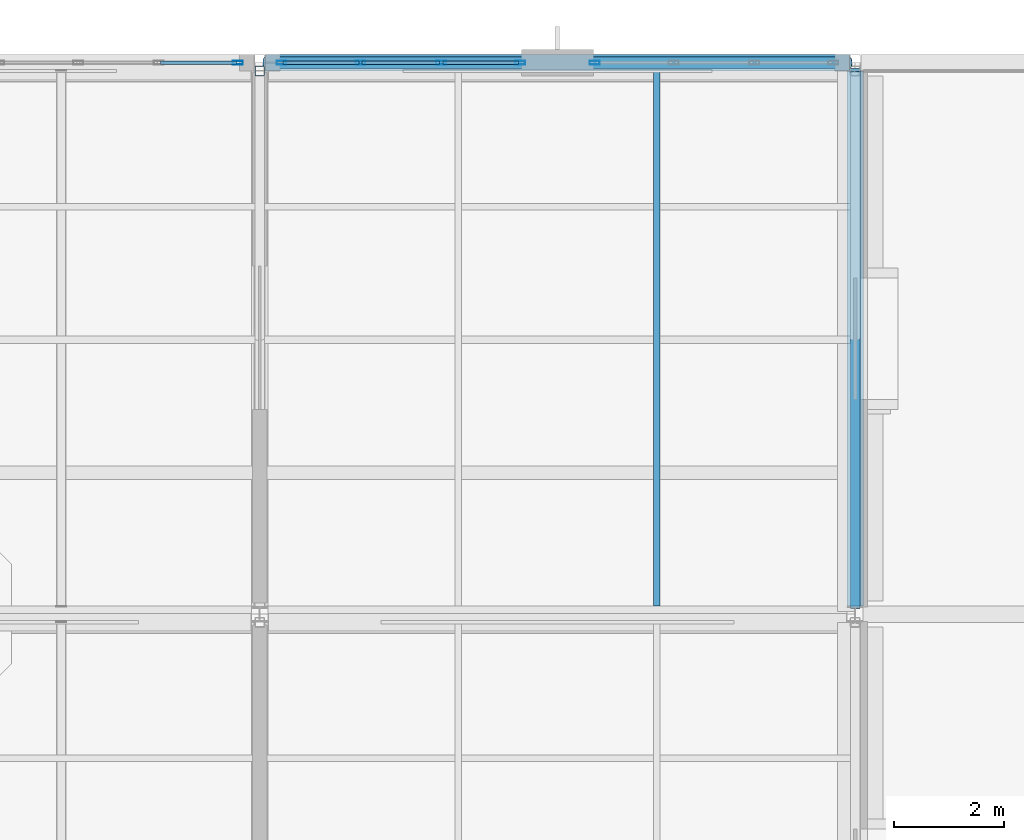
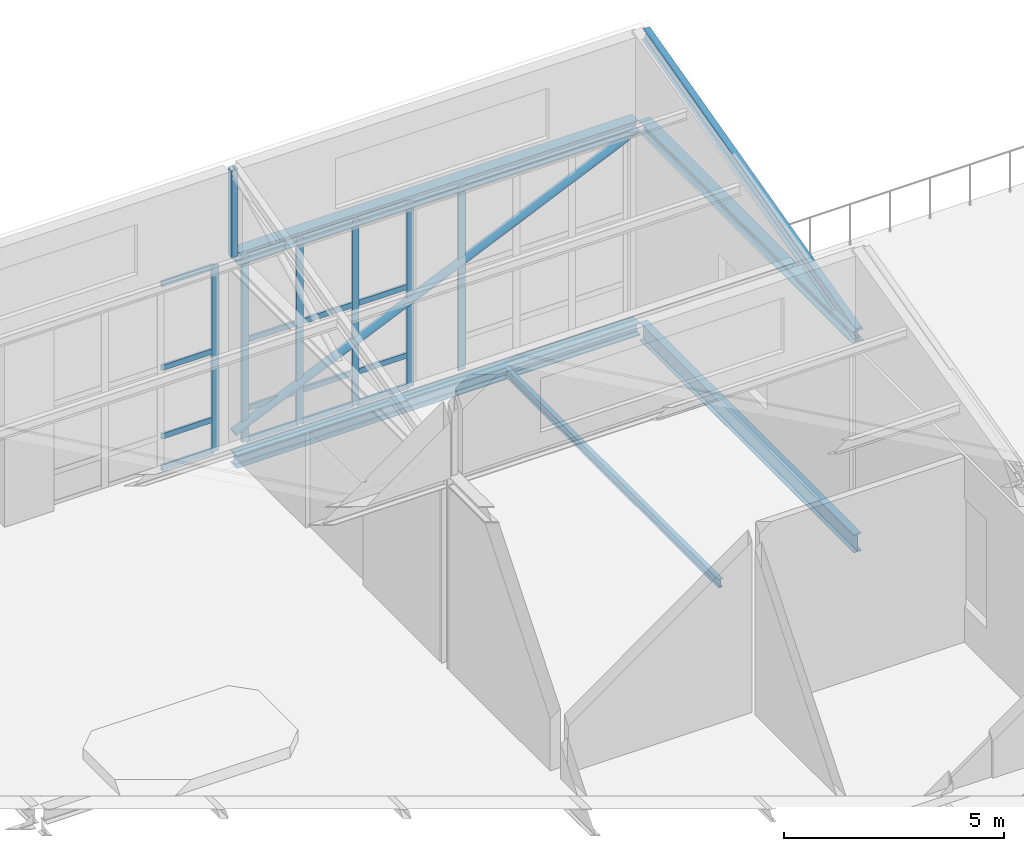
# One storey, part 29 of 49: 26 members, 4 beams, 3 elements without a shape of their own.
"""IFC4 building model written with IfcOpenShell, lengths in metres."""

from ifc_helpers import new_model, si_unit, direction, frame, origin, origin_2d, place, context, subcontext, project, spatial, hollow_rectangle, hollow_circle, i_section, extrude, material, layer, layer_set, material_profile, profile_set, type_object, element, aggregate, save


model = new_model("IFC4")

# Units and contexts
model_context = context("Model", 3, precision=1e-05, world=origin(), true_north=direction((0.0, 1.0)))
body_context = subcontext(model_context, "Body", "Model", "MODEL_VIEW")
ifc_project = project(units=[si_unit("LENGTHUNIT", "METRE"), si_unit("AREAUNIT", "SQUARE_METRE"), si_unit("VOLUMEUNIT", "CUBIC_METRE"), si_unit("PLANEANGLEUNIT", "RADIAN"), si_unit("MASSUNIT", "GRAM", prefix="KILO")], contexts=[model_context])

# Site, building, storey
site_placement = place(None, origin())
site = spatial("IfcSite", under=ifc_project, at=site_placement, CompositionType="ELEMENT")
building_placement = place(site_placement, origin())
building = spatial("IfcBuilding", under=site, at=building_placement, Name="Tasgan Crest Museum", CompositionType="ELEMENT")
storey_placement = place(building_placement, frame((0.0, 0.0, 28.800048828125)))
storey = spatial("IfcBuildingStorey", under=building, at=storey_placement, Name="L05", CompositionType="ELEMENT", Elevation=28.800048828125)

# Beams
ifc_material_1 = material(Name="Steel S355J2", Category="steel")
ifc_material_profile_1 = material_profile(ifc_material_1, i_section(OverallWidth=0.300048828125, OverallDepth=0.35009765625, WebThickness=0.009521484375, FlangeThickness=0.017578125, FilletRadius=0.027099609375, at=origin_2d()), Name="HEA 360")
ifc_profile_set_1 = profile_set([ifc_material_profile_1], Name="Steel S355J2")
beam_type_1 = type_object("IfcBeamType", Name="BM-G-HEA360", PredefinedType="BEAM", material=ifc_profile_set_1)
beam_1_placement = place(storey_placement, frame((64.949951171875, 112.0, 5.219970703125), z_axis=(1.0, 0.0, 0.0), x_axis=(0.0, 1.0, 0.0)))
element("IfcBeam", 1, at=beam_1_placement, inside=storey, type_object=beam_type_1, Name="Sawtooth north eave girder 64.8-75.6", PredefinedType="BEAM", context=body_context, shape_type="SweptSolid", body=[
    extrude(i_section(OverallWidth=0.300048828125, OverallDepth=0.35009765625, WebThickness=0.009521484375, FlangeThickness=0.017578125, FilletRadius=0.027099609375, at=origin_2d()), origin(), (0.0, 0.0, 1.0), 10.5),
])
ifc_material_2 = material(Name="Steel S355J2", Category="steel")
ifc_material_profile_2 = material_profile(ifc_material_2, i_section(OverallWidth=0.300048828125, OverallDepth=0.340087890625, WebThickness=0.011962890625, FlangeThickness=0.021484375, FilletRadius=0.027099609375, at=origin_2d()), Name="HEB 340")
ifc_profile_set_2 = profile_set([ifc_material_profile_2], Name="Steel S355J2")
beam_type_2 = type_object("IfcBeamType", Name="BM-G-HEB340", PredefinedType="BEAM", material=ifc_profile_set_2)
beam_2_placement = place(storey_placement, frame((64.906005859375, 112.0, -0.41015625), z_axis=(1.0, 0.0, 0.0), x_axis=(0.0, 1.0, 0.0)))
element("IfcBeam", 2, at=beam_2_placement, inside=storey, type_object=beam_type_2, Name="Girder L05 M 64.8-75.6", PredefinedType="BEAM", context=body_context, shape_type="SweptSolid", body=[
    extrude(i_section(OverallWidth=0.300048828125, OverallDepth=0.340087890625, WebThickness=0.011962890625, FlangeThickness=0.021484375, FilletRadius=0.027099609375, at=origin_2d()), origin(), (0.0, 0.0, 1.0), 10.587890625),
])
ifc_material_3 = material(Name="Steel S355J2", Category="steel")
ifc_material_profile_3 = material_profile(ifc_material_3, i_section(OverallWidth=0.199951171875, OverallDepth=0.5, WebThickness=0.01025390625, FlangeThickness=0.01611328125, FilletRadius=0.02099609375, at=origin_2d()), Name="IPE 500")
ifc_profile_set_3 = profile_set([ifc_material_profile_3], Name="Steel S355J2")
beam_type_3 = type_object("IfcBeamType", Name="BM-G-IPE500", PredefinedType="BEAM", material=ifc_profile_set_3)
beam_3_placement = place(storey_placement, frame((75.60009765625, 102.14990234375, -0.5), z_axis=(0.0, 1.0, 0.0), x_axis=(-1.0, 0.0, 0.0)))
element("IfcBeam", 3, at=beam_3_placement, inside=storey, type_object=beam_type_3, Name="Beam L05 8 102.0-112.0", PredefinedType="BEAM", context=body_context, shape_type="SweptSolid", body=[
    extrude(i_section(OverallWidth=0.199951171875, OverallDepth=0.5, WebThickness=0.01025390625, FlangeThickness=0.01611328125, FilletRadius=0.02099609375, at=origin_2d()), origin(), (0.0, 0.0, 1.0), 9.7451171875),
])
ifc_material_4 = material(Name="Steel S355J2", Category="steel")
ifc_material_profile_4 = material_profile(ifc_material_4, i_section(OverallWidth=0.1201171875, OverallDepth=0.239990234375, WebThickness=0.006103515625, FlangeThickness=0.009765625, FilletRadius=0.014892578125, at=origin_2d()), Name="IPE 240")
ifc_profile_set_4 = profile_set([ifc_material_profile_4], Name="Steel S355J2")
beam_type_4 = type_object("IfcBeamType", Name="BM-J-IPE240", PredefinedType="JOIST", material=ifc_profile_set_4)
beam_4_placement = place(storey_placement, frame((72.0, 102.14501953125, -0.360107421875), z_axis=(0.0, 1.0, 0.0), x_axis=(-1.0, 0.0, 0.0)))
element("IfcBeam", 4, at=beam_4_placement, inside=storey, type_object=beam_type_4, Name="Secondary joist L05 X=72.0 Y=102.0-112.0", PredefinedType="JOIST", context=body_context, shape_type="SweptSolid", body=[
    extrude(i_section(OverallWidth=0.1201171875, OverallDepth=0.239990234375, WebThickness=0.006103515625, FlangeThickness=0.009765625, FilletRadius=0.014892578125, at=origin_2d()), origin(), (0.0, 0.0, 1.0), 9.7099609375),
])

# Curtain wall, member
ifc_material_5 = material(Name="Triple-Glazed Aluminium Curtain Wall", Category="aluminium")
ifc_layer_1 = layer(ifc_material_5, 0.179931640625, Name="CW-GAL-X-54")
ifc_layer_set_1 = layer_set([ifc_layer_1], Name="Triple-Glazed Aluminium Curtain Wall")
curtain_wall_type_1 = type_object("IfcCurtainWallType", Name="CW-GAL-X-54", PredefinedType="NOTDEFINED", material=ifc_layer_set_1)
curtain_wall_1_placement = place(storey_placement, origin())
curtain_wall_1 = element("IfcCurtainWall", 5, at=curtain_wall_1_placement, inside=storey, type_object=curtain_wall_type_1, Name="Curtain wall L05 201", PredefinedType="NOTDEFINED")
ifc_material_6 = material(Name="Anodised Aluminium", Category="aluminium")
ifc_material_profile_5 = material_profile(ifc_material_6, hollow_rectangle(XDim=0.06494140625, YDim=0.179931640625, WallThickness=0.0048828125, at=origin_2d()), Name="ALU MULLION 180x65x5")
ifc_profile_set_5 = profile_set([ifc_material_profile_5], Name="Anodised Aluminium")
member_type_1 = type_object("IfcMemberType", Name="CW-MULLION-180", PredefinedType="MULLION", material=ifc_profile_set_5)
member_1_placement = place(storey_placement, frame((70.875, 112.0, 0.0), z_axis=(0.0, 0.0, 1.0), x_axis=(0.0, -1.0, 0.0)))
member_1 = element("IfcMember", 6, at=member_1_placement, type_object=member_type_1, Name="CW15 mullion 4", PredefinedType="MULLION", context=body_context, shape_type="SweptSolid", body=[
    extrude(hollow_rectangle(XDim=0.06494140625, YDim=0.179931640625, WallThickness=0.0048828125, at=origin_2d()), origin(), (0.0, 0.0, 1.0), 5.159912109375),
])
aggregate(curtain_wall_1, [member_1])

# Curtain wall, members
curtain_wall_2_placement = place(storey_placement, origin())
curtain_wall_2 = element("IfcCurtainWall", 7, at=curtain_wall_2_placement, inside=storey, type_object=curtain_wall_type_1, Name="Curtain wall L05 202", PredefinedType="NOTDEFINED")
member_2_placement = place(storey_placement, frame((69.52490234375, 112.0, 0.0), z_axis=(0.0, 0.0, 1.0), x_axis=(0.0, -1.0, 0.0)))
member_2 = element("IfcMember", 8, at=member_2_placement, type_object=member_type_1, Name="CW15 mullion 1", PredefinedType="MULLION", context=body_context, shape_type="SweptSolid", body=[
    extrude(hollow_rectangle(XDim=0.06494140625, YDim=0.179931640625, WallThickness=0.0048828125, at=origin_2d()), origin(), (0.0, 0.0, 1.0), 5.159912109375),
])
member_3_placement = place(storey_placement, frame((68.091552734375, 112.0, 0.0), z_axis=(0.0, 0.0, 1.0), x_axis=(0.0, -1.0, 0.0)))
member_3 = element("IfcMember", 9, at=member_3_placement, type_object=member_type_1, Name="CW15 mullion 2", PredefinedType="MULLION", context=body_context, shape_type="SweptSolid", body=[
    extrude(hollow_rectangle(XDim=0.06494140625, YDim=0.179931640625, WallThickness=0.0048828125, at=origin_2d()), origin(), (0.0, 0.0, 1.0), 5.159912109375),
])
member_4_placement = place(storey_placement, frame((66.62841796875, 112.0, 0.0), z_axis=(0.0, 0.0, 1.0), x_axis=(0.0, -1.0, 0.0)))
member_4 = element("IfcMember", 10, at=member_4_placement, type_object=member_type_1, Name="CW15 mullion 3", PredefinedType="MULLION", context=body_context, shape_type="SweptSolid", body=[
    extrude(hollow_rectangle(XDim=0.06494140625, YDim=0.179931640625, WallThickness=0.0048828125, at=origin_2d()), origin(), (0.0, 0.0, 1.0), 5.159912109375),
])
member_5_placement = place(storey_placement, frame((65.195068359375, 112.0, 0.0), z_axis=(0.0, 0.0, 1.0), x_axis=(0.0, -1.0, 0.0)))
member_5 = element("IfcMember", 11, at=member_5_placement, type_object=member_type_1, Name="CW15 mullion 4", PredefinedType="MULLION", context=body_context, shape_type="SweptSolid", body=[
    extrude(hollow_rectangle(XDim=0.06494140625, YDim=0.179931640625, WallThickness=0.0048828125, at=origin_2d()), origin(), (0.0, 0.0, 1.0), 5.159912109375),
])

# Curtain wall, member
ifc_material_7 = material(Name="Triple-Glazed Aluminium Curtain Wall", Category="aluminium")
ifc_layer_2 = layer(ifc_material_7, 0.179931640625, Name="CW-CORE-STRIP-54")
ifc_layer_set_2 = layer_set([ifc_layer_2], Name="Triple-Glazed Aluminium Curtain Wall")
curtain_wall_type_2 = type_object("IfcCurtainWallType", Name="CW-CORE-STRIP-54", PredefinedType="NOTDEFINED", material=ifc_layer_set_2)
curtain_wall_3_placement = place(storey_placement, origin())
curtain_wall_3 = element("IfcCurtainWall", 12, at=curtain_wall_3_placement, inside=storey, type_object=curtain_wall_type_2, Name="Curtain wall L05 203", PredefinedType="NOTDEFINED")
member_6_placement = place(storey_placement, frame((64.405029296875, 112.0, 0.0), z_axis=(0.0, 0.0, 1.0), x_axis=(0.0, -1.0, 0.0)))
member_6 = element("IfcMember", 13, at=member_6_placement, type_object=member_type_1, Name="CW21 mullion 1", PredefinedType="MULLION", context=body_context, shape_type="SweptSolid", body=[
    extrude(hollow_rectangle(XDim=0.06494140625, YDim=0.179931640625, WallThickness=0.0048828125, at=origin_2d()), origin(), (0.0, 0.0, 1.0), 5.159912109375),
])

# Member
ifc_material_8 = material(Name="Anodised Aluminium", Category="aluminium")
ifc_material_profile_6 = material_profile(ifc_material_8, hollow_rectangle(XDim=0.06005859375, YDim=0.14990234375, WallThickness=0.0048828125, at=origin_2d()), Name="ALU TRANSOM 150x60x5")
ifc_profile_set_6 = profile_set([ifc_material_profile_6], Name="Anodised Aluminium")
member_type_2 = type_object("IfcMemberType", Name="CW-TRANSOM-150", PredefinedType="USERDEFINED", material=ifc_profile_set_6)
member_7_placement = place(storey_placement, frame((69.4951171875, 112.0, 0.030029296875), z_axis=(-1.0, 0.0, 0.0), x_axis=(0.0, -1.0, 0.0)))
member_7 = element("IfcMember", 14, at=member_7_placement, type_object=member_type_2, Name="CW15 transom 1.1", ObjectType="TRANSOM", PredefinedType="USERDEFINED", context=body_context, shape_type="SweptSolid", body=[
    extrude(hollow_rectangle(XDim=0.06005859375, YDim=0.14990234375, WallThickness=0.0048828125, at=origin_2d()), origin(), (0.0, 0.0, 1.0), 1.37353515625),
])

member_8_placement = place(storey_placement, frame((69.4951171875, 112.0, 0.89990234375), z_axis=(-1.0, 0.0, 0.0), x_axis=(0.0, -1.0, 0.0)))
member_8 = element("IfcMember", 15, at=member_8_placement, type_object=member_type_2, Name="CW15 transom 1.2", ObjectType="TRANSOM", PredefinedType="USERDEFINED", context=body_context, shape_type="SweptSolid", body=[
    extrude(hollow_rectangle(XDim=0.06005859375, YDim=0.14990234375, WallThickness=0.0048828125, at=origin_2d()), origin(), (0.0, 0.0, 1.0), 1.37353515625),
])

member_9_placement = place(storey_placement, frame((69.4951171875, 112.0, 2.800048828125), z_axis=(-1.0, 0.0, 0.0), x_axis=(0.0, -1.0, 0.0)))
member_9 = element("IfcMember", 16, at=member_9_placement, type_object=member_type_2, Name="CW15 transom 1.3", ObjectType="TRANSOM", PredefinedType="USERDEFINED", context=body_context, shape_type="SweptSolid", body=[
    extrude(hollow_rectangle(XDim=0.06005859375, YDim=0.14990234375, WallThickness=0.0048828125, at=origin_2d()), origin(), (0.0, 0.0, 1.0), 1.37353515625),
])

member_10_placement = place(storey_placement, frame((69.4951171875, 112.0, 5.1298828125), z_axis=(-1.0, 0.0, 0.0), x_axis=(0.0, -1.0, 0.0)))
member_10 = element("IfcMember", 17, at=member_10_placement, type_object=member_type_2, Name="CW15 transom 1.4", ObjectType="TRANSOM", PredefinedType="USERDEFINED", context=body_context, shape_type="SweptSolid", body=[
    extrude(hollow_rectangle(XDim=0.06005859375, YDim=0.14990234375, WallThickness=0.0048828125, at=origin_2d()), origin(), (0.0, 0.0, 1.0), 1.37353515625),
])

member_11_placement = place(storey_placement, frame((68.061767578125, 112.0, 0.030029296875), z_axis=(-1.0, 0.0, 0.0), x_axis=(0.0, -1.0, 0.0)))
member_11 = element("IfcMember", 18, at=member_11_placement, type_object=member_type_2, Name="CW15 transom 2.1", ObjectType="TRANSOM", PredefinedType="USERDEFINED", context=body_context, shape_type="SweptSolid", body=[
    extrude(hollow_rectangle(XDim=0.06005859375, YDim=0.14990234375, WallThickness=0.0048828125, at=origin_2d()), origin(), (0.0, 0.0, 1.0), 1.4033203125),
])

member_12_placement = place(storey_placement, frame((68.061767578125, 112.0, 0.89990234375), z_axis=(-1.0, 0.0, 0.0), x_axis=(0.0, -1.0, 0.0)))
member_12 = element("IfcMember", 19, at=member_12_placement, type_object=member_type_2, Name="CW15 transom 2.2", ObjectType="TRANSOM", PredefinedType="USERDEFINED", context=body_context, shape_type="SweptSolid", body=[
    extrude(hollow_rectangle(XDim=0.06005859375, YDim=0.14990234375, WallThickness=0.0048828125, at=origin_2d()), origin(), (0.0, 0.0, 1.0), 1.4033203125),
])

member_13_placement = place(storey_placement, frame((68.061767578125, 112.0, 2.800048828125), z_axis=(-1.0, 0.0, 0.0), x_axis=(0.0, -1.0, 0.0)))
member_13 = element("IfcMember", 20, at=member_13_placement, type_object=member_type_2, Name="CW15 transom 2.3", ObjectType="TRANSOM", PredefinedType="USERDEFINED", context=body_context, shape_type="SweptSolid", body=[
    extrude(hollow_rectangle(XDim=0.06005859375, YDim=0.14990234375, WallThickness=0.0048828125, at=origin_2d()), origin(), (0.0, 0.0, 1.0), 1.4033203125),
])

member_14_placement = place(storey_placement, frame((68.061767578125, 112.0, 5.1298828125), z_axis=(-1.0, 0.0, 0.0), x_axis=(0.0, -1.0, 0.0)))
member_14 = element("IfcMember", 21, at=member_14_placement, type_object=member_type_2, Name="CW15 transom 2.4", ObjectType="TRANSOM", PredefinedType="USERDEFINED", context=body_context, shape_type="SweptSolid", body=[
    extrude(hollow_rectangle(XDim=0.06005859375, YDim=0.14990234375, WallThickness=0.0048828125, at=origin_2d()), origin(), (0.0, 0.0, 1.0), 1.4033203125),
])

member_15_placement = place(storey_placement, frame((66.598388671875, 112.0, 0.030029296875), z_axis=(-1.0, 0.0, 0.0), x_axis=(0.0, -1.0, 0.0)))
member_15 = element("IfcMember", 22, at=member_15_placement, type_object=member_type_2, Name="CW15 transom 3.1", ObjectType="TRANSOM", PredefinedType="USERDEFINED", context=body_context, shape_type="SweptSolid", body=[
    extrude(hollow_rectangle(XDim=0.06005859375, YDim=0.14990234375, WallThickness=0.0048828125, at=origin_2d()), origin(), (0.0, 0.0, 1.0), 1.373291015625),
])

member_16_placement = place(storey_placement, frame((66.598388671875, 112.0, 0.89990234375), z_axis=(-1.0, 0.0, 0.0), x_axis=(0.0, -1.0, 0.0)))
member_16 = element("IfcMember", 23, at=member_16_placement, type_object=member_type_2, Name="CW15 transom 3.2", ObjectType="TRANSOM", PredefinedType="USERDEFINED", context=body_context, shape_type="SweptSolid", body=[
    extrude(hollow_rectangle(XDim=0.06005859375, YDim=0.14990234375, WallThickness=0.0048828125, at=origin_2d()), origin(), (0.0, 0.0, 1.0), 1.373291015625),
])

member_17_placement = place(storey_placement, frame((66.598388671875, 112.0, 2.800048828125), z_axis=(-1.0, 0.0, 0.0), x_axis=(0.0, -1.0, 0.0)))
member_17 = element("IfcMember", 24, at=member_17_placement, type_object=member_type_2, Name="CW15 transom 3.3", ObjectType="TRANSOM", PredefinedType="USERDEFINED", context=body_context, shape_type="SweptSolid", body=[
    extrude(hollow_rectangle(XDim=0.06005859375, YDim=0.14990234375, WallThickness=0.0048828125, at=origin_2d()), origin(), (0.0, 0.0, 1.0), 1.373291015625),
])

member_18_placement = place(storey_placement, frame((66.598388671875, 112.0, 5.1298828125), z_axis=(-1.0, 0.0, 0.0), x_axis=(0.0, -1.0, 0.0)))
member_18 = element("IfcMember", 25, at=member_18_placement, type_object=member_type_2, Name="CW15 transom 3.4", ObjectType="TRANSOM", PredefinedType="USERDEFINED", context=body_context, shape_type="SweptSolid", body=[
    extrude(hollow_rectangle(XDim=0.06005859375, YDim=0.14990234375, WallThickness=0.0048828125, at=origin_2d()), origin(), (0.0, 0.0, 1.0), 1.373291015625),
])

aggregate(curtain_wall_2, [member_2, member_3, member_4, member_5, member_7, member_8, member_9, member_10, member_11, member_12, member_13, member_14, member_15, member_16, member_17, member_18])

member_19_placement = place(storey_placement, frame((64.375, 112.0, 0.030029296875), z_axis=(-1.0, 0.0, 0.0), x_axis=(0.0, -1.0, 0.0)))
member_19 = element("IfcMember", 26, at=member_19_placement, type_object=member_type_2, Name="CW21 transom 1.1", ObjectType="TRANSOM", PredefinedType="USERDEFINED", context=body_context, shape_type="SweptSolid", body=[
    extrude(hollow_rectangle(XDim=0.06005859375, YDim=0.14990234375, WallThickness=0.0048828125, at=origin_2d()), origin(), (0.0, 0.0, 1.0), 1.373291015625),
])

member_20_placement = place(storey_placement, frame((64.375, 112.0, 0.89990234375), z_axis=(-1.0, 0.0, 0.0), x_axis=(0.0, -1.0, 0.0)))
member_20 = element("IfcMember", 27, at=member_20_placement, type_object=member_type_2, Name="CW21 transom 1.2", ObjectType="TRANSOM", PredefinedType="USERDEFINED", context=body_context, shape_type="SweptSolid", body=[
    extrude(hollow_rectangle(XDim=0.06005859375, YDim=0.14990234375, WallThickness=0.0048828125, at=origin_2d()), origin(), (0.0, 0.0, 1.0), 1.373291015625),
])

member_21_placement = place(storey_placement, frame((64.375, 112.0, 2.800048828125), z_axis=(-1.0, 0.0, 0.0), x_axis=(0.0, -1.0, 0.0)))
member_21 = element("IfcMember", 28, at=member_21_placement, type_object=member_type_2, Name="CW21 transom 1.3", ObjectType="TRANSOM", PredefinedType="USERDEFINED", context=body_context, shape_type="SweptSolid", body=[
    extrude(hollow_rectangle(XDim=0.06005859375, YDim=0.14990234375, WallThickness=0.0048828125, at=origin_2d()), origin(), (0.0, 0.0, 1.0), 1.373291015625),
])

member_22_placement = place(storey_placement, frame((64.375, 112.0, 5.1298828125), z_axis=(-1.0, 0.0, 0.0), x_axis=(0.0, -1.0, 0.0)))
member_22 = element("IfcMember", 29, at=member_22_placement, type_object=member_type_2, Name="CW21 transom 1.4", ObjectType="TRANSOM", PredefinedType="USERDEFINED", context=body_context, shape_type="SweptSolid", body=[
    extrude(hollow_rectangle(XDim=0.06005859375, YDim=0.14990234375, WallThickness=0.0048828125, at=origin_2d()), origin(), (0.0, 0.0, 1.0), 1.373291015625),
])

aggregate(curtain_wall_3, [member_6, member_19, member_20, member_21, member_22])

# Members
ifc_material_9 = material(Name="Steel S355J2", Category="steel")
ifc_material_profile_7 = material_profile(ifc_material_9, hollow_circle(Radius=0.109619140625, WallThickness=0.010009765625, at=origin_2d()), Name="CHS 219.1x10")
ifc_profile_set_7 = profile_set([ifc_material_profile_7], Name="Steel S355J2")
member_type_3 = type_object("IfcMemberType", Name="MEM-BRACE-CHS219", PredefinedType="BRACE", material=ifc_profile_set_7)
member_23_placement = place(storey_placement, frame((64.89990234375, 112.0, 0.349853515625), z_axis=(0.913841923951, 0.0, 0.406070114671), x_axis=(0.0, 1.0, 0.0)))
element("IfcMember", 30, at=member_23_placement, inside=storey, type_object=member_type_3, Name="Diagonal brace L05 M 64.8-75.6", PredefinedType="BRACE", context=body_context, shape_type="SweptSolid", body=[
    extrude(hollow_circle(Radius=0.109619140625, WallThickness=0.010009765625, at=origin_2d()), origin(), (0.0, 0.0, 1.0), 11.599365234375),
])
ifc_material_10 = material(Name="Steel S355K2", Category="steel")
ifc_material_profile_8 = material_profile(ifc_material_10, i_section(OverallWidth=0.300048828125, OverallDepth=0.31005859375, WebThickness=0.009033203125, FlangeThickness=0.015380859375, FilletRadius=0.027099609375, at=origin_2d()), Name="HEA 320")
ifc_profile_set_8 = profile_set([ifc_material_profile_8], Name="Steel S355K2")
member_type_4 = type_object("IfcMemberType", Name="TR-SAW-CHORD", PredefinedType="CHORD", material=ifc_profile_set_8)
member_24_placement = place(storey_placement, frame((75.60009765625, 102.14990234375, 5.239990234375), z_axis=(0.0, 1.0, 0.0), x_axis=(-1.0, 0.0, 0.0)))
element("IfcMember", 31, at=member_24_placement, inside=storey, type_object=member_type_4, Name="Roof truss bottom chord B3 8", PredefinedType="CHORD", context=body_context, shape_type="SweptSolid", body=[
    extrude(i_section(OverallWidth=0.300048828125, OverallDepth=0.31005859375, WebThickness=0.009033203125, FlangeThickness=0.015380859375, FilletRadius=0.027099609375, at=origin_2d()), origin(), (0.0, 0.0, 1.0), 9.7001953125),
])
ifc_material_11 = material(Name="Steel S355K2", Category="steel")
ifc_material_profile_9 = material_profile(ifc_material_11, hollow_rectangle(XDim=0.179931640625, YDim=0.179931640625, WallThickness=0.010009765625, InnerFilletRadius=0.010009765625, OuterFilletRadius=0.02001953125, at=origin_2d()), Name="SHS 180x180x10")
ifc_profile_set_9 = profile_set([ifc_material_profile_9], Name="Steel S355K2")
member_type_5 = type_object("IfcMemberType", Name="TR-SAW-POST", PredefinedType="POST", material=ifc_profile_set_9)
member_25_placement = place(storey_placement, frame((64.800048828125, 111.85009765625, 5.389892578125), z_axis=(0.0, 0.0, 1.0), x_axis=(1.0, 0.0, 0.0)))
element("IfcMember", 32, at=member_25_placement, inside=storey, type_object=member_type_5, Name="Roof truss north post B3 7", PredefinedType="POST", context=body_context, shape_type="SweptSolid", body=[
    extrude(hollow_rectangle(XDim=0.179931640625, YDim=0.179931640625, WallThickness=0.010009765625, InnerFilletRadius=0.010009765625, OuterFilletRadius=0.02001953125, at=origin_2d()), origin(), (0.0, 0.0, 1.0), 2.41015625),
])
ifc_material_12 = material(Name="Steel S355K2", Category="steel")
ifc_material_profile_10 = material_profile(ifc_material_12, i_section(OverallWidth=0.169921875, OverallDepth=0.360107421875, WebThickness=0.008056640625, FlangeThickness=0.0126953125, FilletRadius=0.01806640625, at=origin_2d()), Name="IPE 360")
ifc_profile_set_10 = profile_set([ifc_material_profile_10], Name="Steel S355K2")
member_type_6 = type_object("IfcMemberType", Name="TR-SAW-RAFTER", PredefinedType="RAFTER", material=ifc_profile_set_10)
member_26_placement = place(storey_placement, frame((75.60009765625, 102.14990234375, 5.320068359375), z_axis=(0.0, 0.968528888954, 0.248901167657), x_axis=(-1.0, 0.0, 0.0)))
element("IfcMember", 33, at=member_26_placement, inside=storey, type_object=member_type_6, Name="Roof truss rafter B3 8", PredefinedType="RAFTER", context=body_context, shape_type="SweptSolid", body=[
    extrude(i_section(OverallWidth=0.169921875, OverallDepth=0.360107421875, WebThickness=0.008056640625, FlangeThickness=0.0126953125, FilletRadius=0.01806640625, at=origin_2d()), origin(), (0.0, 0.0, 1.0), 9.963623046875),
])

save(model, "model.ifc")
